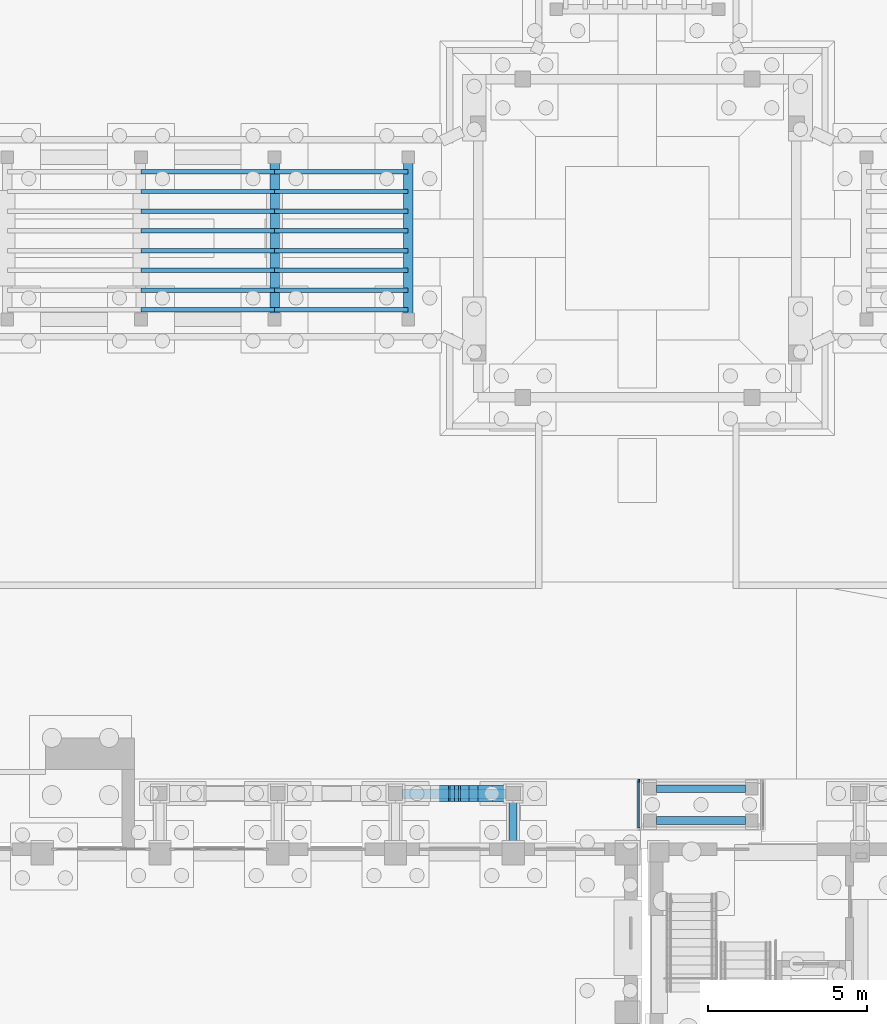
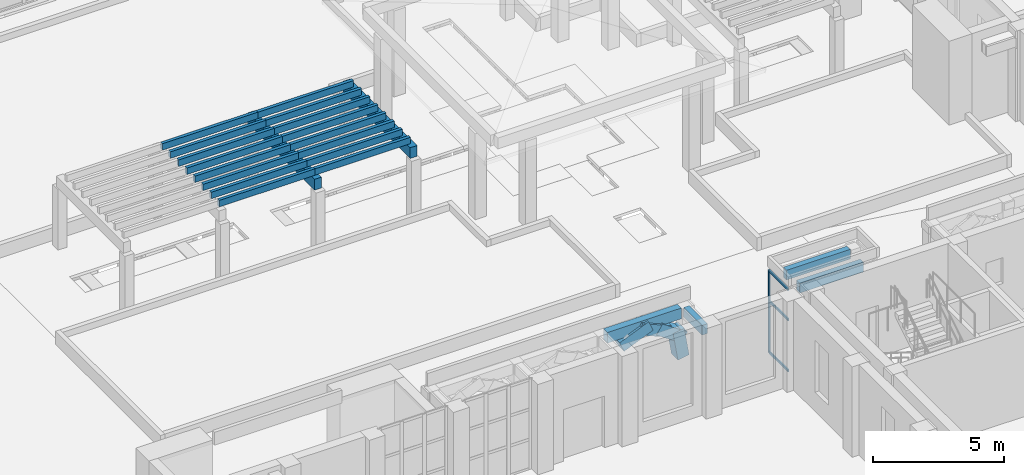
# One storey, part 28 of 112: 24 members, 6 beams, 1 element without a shape of its own.
"""IFC4 building model written with IfcOpenShell, lengths in metres."""

from ifc_helpers import new_model, si_unit, direction, frame, origin, origin_2d, place, context, subcontext, project, spatial, rectangle, extrude, material, layer, layer_set, material_profile, profile_set, type_object, element, aggregate, save


model = new_model("IFC4")

# Units and contexts
model_context = context("Model", 3, precision=1e-05, world=origin(), true_north=direction((0.0, 1.0)))
body_context = subcontext(model_context, "Body", "Model", "MODEL_VIEW")
ifc_project = project(units=[si_unit("LENGTHUNIT", "METRE"), si_unit("AREAUNIT", "SQUARE_METRE"), si_unit("VOLUMEUNIT", "CUBIC_METRE"), si_unit("PLANEANGLEUNIT", "RADIAN"), si_unit("MASSUNIT", "GRAM", prefix="KILO")], contexts=[model_context])

# Site, building, storey
site_placement = place(None, origin())
site = spatial("IfcSite", under=ifc_project, at=site_placement, CompositionType="ELEMENT")
building_placement = place(site_placement, origin())
building = spatial("IfcBuilding", under=site, at=building_placement, Name="Wasatch Bagh Community Centre", CompositionType="ELEMENT")
storey_placement = place(building_placement, origin())
storey = spatial("IfcBuildingStorey", under=building, at=storey_placement, Name="L00", CompositionType="ELEMENT", Elevation=0.0)

# Beams
ifc_material_1 = material(Name="Concrete C35", Category="concrete")
ifc_material_profile_1 = material_profile(ifc_material_1, rectangle(XDim=0.300048828125, YDim=0.5, at=origin_2d()), Name="RC 300x500")
ifc_profile_set_1 = profile_set([ifc_material_profile_1], Name="Concrete C35")
beam_type_1 = type_object("IfcBeamType", Name="CL-B1", PredefinedType="BEAM", material=ifc_profile_set_1)
beam_1_placement = place(storey_placement, frame((88.625, 33.550048828125, 3.60009765625), z_axis=(1.0, 0.0, 0.0), x_axis=(0.0, 1.0, 0.0)))
element("IfcBeam", 1, at=beam_1_placement, inside=storey, type_object=beam_type_1, Name="CL-B1 arcade edge beam DH 3", PredefinedType="BEAM", context=body_context, shape_type="SweptSolid", body=[
    extrude(rectangle(XDim=0.300048828125, YDim=0.5, at=origin_2d()), origin(), (0.0, 0.0, 1.0), 3.25),
])
ifc_material_profile_2 = material_profile(ifc_material_1, rectangle(XDim=0.25, YDim=0.449951171875, at=origin_2d()), Name="RC 250x450")
ifc_profile_set_2 = profile_set([ifc_material_profile_2], Name="Concrete C35")
beam_type_2 = type_object("IfcBeamType", Name="CL-B2", PredefinedType="BEAM", material=ifc_profile_set_2)
beam_2_placement = place(storey_placement, frame((92.10009765625, 32.0, 3.625), z_axis=(0.0, 1.0, 0.0), x_axis=(-1.0, 0.0, 0.0)))
element("IfcBeam", 2, at=beam_2_placement, inside=storey, type_object=beam_type_2, Name="CL-B2 arcade cross beam DH 8", PredefinedType="BEAM", context=body_context, shape_type="SweptSolid", body=[
    extrude(rectangle(XDim=0.25, YDim=0.449951171875, at=origin_2d()), origin(), (0.0, 0.0, 1.0), 1.39990234375),
])

# Members
ifc_material_2 = material(Name="Concrete C40", Category="concrete")
ifc_material_profile_3 = material_profile(ifc_material_2, rectangle(XDim=0.5, YDim=0.5, at=origin_2d()), Name="RC 500x500")
ifc_profile_set_3 = profile_set([ifc_material_profile_3], Name="Concrete C40")
member_type_1 = type_object("IfcMemberType", Name="CL-R1", PredefinedType="MEMBER", material=ifc_profile_set_3)
for number, where, z_axis, x_axis, name in (
    (3, (89.207275390625, 33.550048828125, 3.02783203125), (0.920645253108, 0.0, 0.390400202267), (0.0, 1.0, 0.0), "CL-R1 arch rib DH 3.3"),
    (4, (90.019775390625, 33.550048828125, 3.567626953125), (0.920645253108, 0.0, -0.390400202267), (0.0, 1.0, 0.0), "CL-R1 arch rib DH 3.4"),
):
    element("IfcMember", number, at=place(storey_placement, frame(where, z_axis=z_axis, x_axis=x_axis)), inside=storey, type_object=member_type_1, Name=name, PredefinedType="MEMBER", context=body_context, shape_type="SweptSolid", body=[
        extrude(rectangle(XDim=0.5, YDim=0.5, at=origin_2d()), origin(), (0.0, 0.0, 1.0), 1.382568359375),
    ])
member_1_placement = place(storey_placement, frame((90.85595703125, 33.550048828125, 3.266357421875), z_axis=(0.825790517456, 0.0, -0.563976968749), x_axis=(0.0, 1.0, 0.0)))
element("IfcMember", 5, at=member_1_placement, inside=storey, type_object=member_type_1, Name="CL-R1 arch rib DH 3.5", PredefinedType="MEMBER", context=body_context, shape_type="SweptSolid", body=[
    extrude(rectangle(XDim=0.5, YDim=0.5, at=origin_2d()), origin(), (0.0, 0.0, 1.0), 1.3251953125),
])
member_2_placement = place(storey_placement, frame((91.703857421875, 33.550048828125, 2.90673828125), z_axis=(0.159929956132, 0.0, -0.987128365073), x_axis=(0.0, 1.0, 0.0)))
element("IfcMember", 6, at=member_2_placement, inside=storey, type_object=member_type_1, Name="CL-R1 arch rib DH 3.6", PredefinedType="MEMBER", context=body_context, shape_type="SweptSolid", body=[
    extrude(rectangle(XDim=0.5, YDim=0.5, at=origin_2d()), origin(), (0.0, 0.0, 1.0), 1.320556640625),
])

# Curtain wall, members
ifc_material_3 = material(Name="Aluminium curtain wall frame with low-iron insulated glass", Category="aluminium")
ifc_layer = layer(ifc_material_3, 0.10009765625)
ifc_layer_set = layer_set([ifc_layer], Name="Aluminium curtain wall frame with low-iron insulated glass")
curtain_wall_type = type_object("IfcCurtainWallType", Name="PA curtain wall PA-CW3", PredefinedType="NOTDEFINED", material=ifc_layer_set)
curtain_wall_placement = place(storey_placement, origin())
curtain_wall = element("IfcCurtainWall", 7, at=curtain_wall_placement, inside=storey, type_object=curtain_wall_type, Name="Curtain wall PA-CW3 PA4.1", PredefinedType="NOTDEFINED")
ifc_material_4 = material(Name="Anodised aluminium", Category="aluminium")
ifc_material_profile_4 = material_profile(ifc_material_4, rectangle(XDim=0.06005859375, YDim=0.10009765625, at=origin_2d()), Name="PA mullion PA-CW3")
ifc_profile_set_4 = profile_set([ifc_material_profile_4], Name="Anodised aluminium")
member_type_2 = type_object("IfcMemberType", Name="PA mullion PA-CW3", PredefinedType="MULLION", material=ifc_profile_set_4)
member_3_placement = place(storey_placement, frame((96.049072265625, 33.949951171875, 0.0), z_axis=(0.0, 0.0, 1.0), x_axis=(-1.0, 0.0, 0.0)))
member_3 = element("IfcMember", 8, at=member_3_placement, type_object=member_type_2, Name="PA-CW3 mullion 2", PredefinedType="MULLION", context=body_context, shape_type="SweptSolid", body=[
    extrude(rectangle(XDim=0.06005859375, YDim=0.10009765625, at=origin_2d()), origin(), (0.0, 0.0, 1.0), 3.830078125),
])
ifc_material_profile_5 = material_profile(ifc_material_4, rectangle(XDim=0.06005859375, YDim=0.10009765625, at=origin_2d()), Name="PA transom PA-CW3")
ifc_profile_set_5 = profile_set([ifc_material_profile_5], Name="Anodised aluminium")
member_type_3 = type_object("IfcMemberType", Name="PA transom PA-CW3", PredefinedType="USERDEFINED", material=ifc_profile_set_5)
member_4_placement = place(storey_placement, frame((96.049072265625, 32.47998046875, 0.030029296875), z_axis=(0.0, 1.0, 0.0), x_axis=(-1.0, 0.0, 0.0)))
member_4 = element("IfcMember", 9, at=member_4_placement, type_object=member_type_3, Name="PA-CW3 transom 1.1", ObjectType="TRANSOM", PredefinedType="USERDEFINED", context=body_context, shape_type="SweptSolid", body=[
    extrude(rectangle(XDim=0.06005859375, YDim=0.10009765625, at=origin_2d()), origin(), (0.0, 0.0, 1.0), 1.43994140625),
])
member_5_placement = place(storey_placement, frame((96.049072265625, 32.47998046875, 2.39990234375), z_axis=(0.0, 1.0, 0.0), x_axis=(-1.0, 0.0, 0.0)))
member_5 = element("IfcMember", 10, at=member_5_placement, type_object=member_type_3, Name="PA-CW3 transom 1.2", ObjectType="TRANSOM", PredefinedType="USERDEFINED", context=body_context, shape_type="SweptSolid", body=[
    extrude(rectangle(XDim=0.06005859375, YDim=0.10009765625, at=origin_2d()), origin(), (0.0, 0.0, 1.0), 1.43994140625),
])
member_6_placement = place(storey_placement, frame((96.049072265625, 32.47998046875, 3.800048828125), z_axis=(0.0, 1.0, 0.0), x_axis=(-1.0, 0.0, 0.0)))
member_6 = element("IfcMember", 11, at=member_6_placement, type_object=member_type_3, Name="PA-CW3 transom 1.3", ObjectType="TRANSOM", PredefinedType="USERDEFINED", context=body_context, shape_type="SweptSolid", body=[
    extrude(rectangle(XDim=0.06005859375, YDim=0.10009765625, at=origin_2d()), origin(), (0.0, 0.0, 1.0), 1.43994140625),
])
aggregate(curtain_wall, [member_3, member_4, member_5, member_6])

# Beams
ifc_material_profile_6 = material_profile(ifc_material_1, rectangle(XDim=0.25, YDim=0.449951171875, at=origin_2d()), Name="RC 250x450")
ifc_profile_set_6 = profile_set([ifc_material_profile_6], Name="Concrete C35")
beam_type_3 = type_object("IfcBeamType", Name="PA-B2", PredefinedType="BEAM", material=ifc_profile_set_6)
for number, where, z_axis, x_axis, name in (
    (12, (96.60009765625, 32.699951171875, 3.614990234375), (1.0, 0.0, 0.0), (0.0, 1.0, 0.0), "PA-B2 beam PA4.1"),
    (13, (96.60009765625, 33.699951171875, 3.614990234375), (1.0, 0.0, 0.0), (0.0, 1.0, 0.0), "PA-B2 beam PA4.2"),
):
    element("IfcBeam", number, at=place(storey_placement, frame(where, z_axis=z_axis, x_axis=x_axis)), inside=storey, type_object=beam_type_3, Name=name, PredefinedType="BEAM", context=body_context, shape_type="SweptSolid", body=[
        extrude(rectangle(XDim=0.25, YDim=0.449951171875, at=origin_2d()), origin(), (0.0, 0.0, 1.0), 2.7998046875),
    ])
ifc_material_profile_7 = material_profile(ifc_material_1, rectangle(XDim=0.300048828125, YDim=0.5, at=origin_2d()), Name="RC 300x500")
ifc_profile_set_7 = profile_set([ifc_material_profile_7], Name="Concrete C35")
beam_type_4 = type_object("IfcBeamType", Name="SITE-B1", PredefinedType="BEAM", material=ifc_profile_set_7)
for number, where, z_axis, x_axis, name in (
    (14, (88.800048828125, 48.449951171875, 3.050048828125), (0.0, 1.0, 0.0), (-1.0, 0.0, 0.0), "Pergola beam"),
    (15, (84.60009765625, 48.449951171875, 3.050048828125), (0.0, 1.0, 0.0), (-1.0, 0.0, 0.0), "Pergola beam"),
):
    element("IfcBeam", number, at=place(storey_placement, frame(where, z_axis=z_axis, x_axis=x_axis)), inside=storey, type_object=beam_type_4, Name=name, PredefinedType="BEAM", context=body_context, shape_type="SweptSolid", body=[
        extrude(rectangle(XDim=0.300048828125, YDim=0.5, at=origin_2d()), origin(), (0.0, 0.0, 1.0), 5.10009765625),
    ])

# Members
ifc_material_5 = material(Name="Glued laminated timber GL24h", Category="wood")
ifc_material_profile_8 = material_profile(ifc_material_5, rectangle(XDim=0.139892578125, YDim=0.300048828125, at=origin_2d()), Name="GL 140x300")
ifc_profile_set_8 = profile_set([ifc_material_profile_8], Name="Glued laminated timber GL24h")
member_type_4 = type_object("IfcMemberType", Name="SITE-M1", PredefinedType="MEMBER", material=ifc_profile_set_8)
for number, where, z_axis, x_axis, name in (
    (16, (84.60009765625, 48.75, 3.449951171875), (1.0, 0.0, 0.0), (0.0, 1.0, 0.0), "Pergola slat"),
    (17, (84.60009765625, 49.3701171875, 3.449951171875), (1.0, 0.0, 0.0), (0.0, 1.0, 0.0), "Pergola slat"),
    (18, (84.60009765625, 49.989990234375, 3.449951171875), (1.0, 0.0, 0.0), (0.0, 1.0, 0.0), "Pergola slat"),
    (19, (84.60009765625, 50.610107421875, 3.449951171875), (1.0, 0.0, 0.0), (0.0, 1.0, 0.0), "Pergola slat"),
    (20, (84.60009765625, 51.22998046875, 3.449951171875), (1.0, 0.0, 0.0), (0.0, 1.0, 0.0), "Pergola slat"),
    (21, (84.60009765625, 51.85009765625, 3.449951171875), (1.0, 0.0, 0.0), (0.0, 1.0, 0.0), "Pergola slat"),
    (22, (84.60009765625, 52.469970703125, 3.449951171875), (1.0, 0.0, 0.0), (0.0, 1.0, 0.0), "Pergola slat"),
    (23, (84.60009765625, 53.090087890625, 3.449951171875), (1.0, 0.0, 0.0), (0.0, 1.0, 0.0), "Pergola slat"),
):
    element("IfcMember", number, at=place(storey_placement, frame(where, z_axis=z_axis, x_axis=x_axis)), inside=storey, type_object=member_type_4, Name=name, PredefinedType="MEMBER", context=body_context, shape_type="SweptSolid", body=[
        extrude(rectangle(XDim=0.139892578125, YDim=0.300048828125, at=origin_2d()), origin(), (0.0, 0.0, 1.0), 4.199951171875),
    ])
for number, where, z_axis, x_axis, name in (
    (24, (80.39990234375, 48.75, 3.449951171875), (1.0, 0.0, 0.0), (0.0, 1.0, 0.0), "Pergola slat"),
    (25, (80.39990234375, 49.3701171875, 3.449951171875), (1.0, 0.0, 0.0), (0.0, 1.0, 0.0), "Pergola slat"),
    (26, (80.39990234375, 49.989990234375, 3.449951171875), (1.0, 0.0, 0.0), (0.0, 1.0, 0.0), "Pergola slat"),
    (27, (80.39990234375, 50.610107421875, 3.449951171875), (1.0, 0.0, 0.0), (0.0, 1.0, 0.0), "Pergola slat"),
    (28, (80.39990234375, 51.22998046875, 3.449951171875), (1.0, 0.0, 0.0), (0.0, 1.0, 0.0), "Pergola slat"),
    (29, (80.39990234375, 51.85009765625, 3.449951171875), (1.0, 0.0, 0.0), (0.0, 1.0, 0.0), "Pergola slat"),
    (30, (80.39990234375, 52.469970703125, 3.449951171875), (1.0, 0.0, 0.0), (0.0, 1.0, 0.0), "Pergola slat"),
    (31, (80.39990234375, 53.090087890625, 3.449951171875), (1.0, 0.0, 0.0), (0.0, 1.0, 0.0), "Pergola slat"),
):
    element("IfcMember", number, at=place(storey_placement, frame(where, z_axis=z_axis, x_axis=x_axis)), inside=storey, type_object=member_type_4, Name=name, PredefinedType="MEMBER", context=body_context, shape_type="SweptSolid", body=[
        extrude(rectangle(XDim=0.139892578125, YDim=0.300048828125, at=origin_2d()), origin(), (0.0, 0.0, 1.0), 4.2001953125),
    ])

save(model, "model.ifc")
